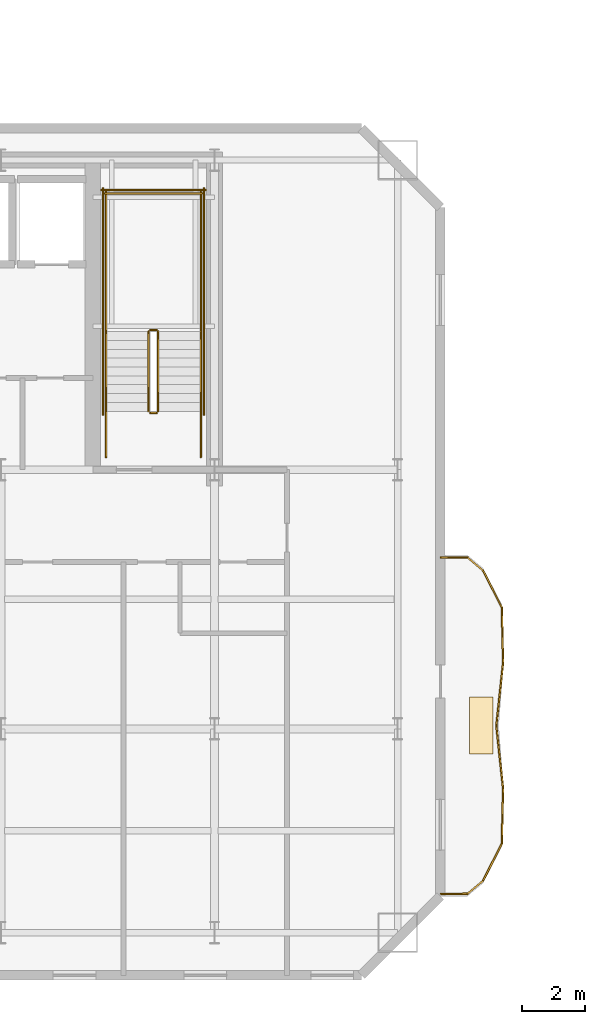
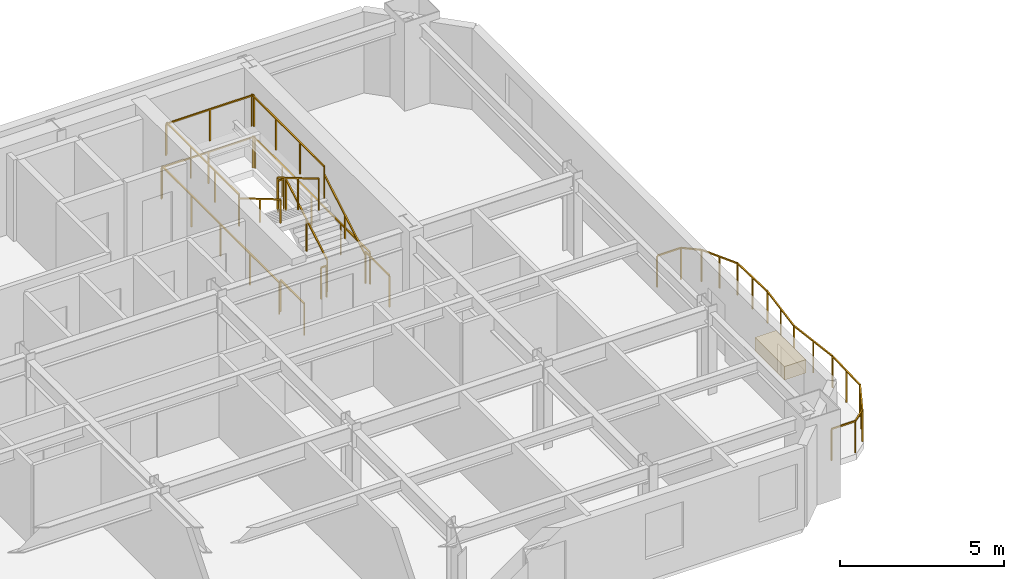
# One storey, part 11 of 13: 24 railings, 1 covering.
"""IFC4 building model written with IfcOpenShell, lengths in metres."""

from ifc_helpers import new_model, si_unit, direction, frame, origin, origin_2d, place, context, subcontext, project, spatial, rectangle, extrude, material, layer, layer_set, type_object, element, save


model = new_model("IFC4")

# Units and contexts
model_context = context("Model", 3, precision=1e-05, world=origin(), true_north=direction((0.0, 1.0)))
body_context = subcontext(model_context, "Body", "Model", "MODEL_VIEW")
ifc_project = project(units=[si_unit("LENGTHUNIT", "METRE"), si_unit("AREAUNIT", "SQUARE_METRE"), si_unit("VOLUMEUNIT", "CUBIC_METRE"), si_unit("PLANEANGLEUNIT", "RADIAN"), si_unit("MASSUNIT", "GRAM", prefix="KILO")], contexts=[model_context])

# Site, building, storey
site_placement = place(None, origin())
site = spatial("IfcSite", under=ifc_project, at=site_placement, CompositionType="ELEMENT")
building_placement = place(site_placement, origin())
building = spatial("IfcBuilding", under=site, at=building_placement, Name="Haevon Station Towers", CompositionType="ELEMENT")
storey_placement = place(building_placement, frame((0.0, 0.0, 182.39990234375)))
storey = spatial("IfcBuildingStorey", under=building, at=storey_placement, Name="L50", CompositionType="ELEMENT", Elevation=182.39990234375)

# Railings
ifc_material_1 = material(Name="Steel S355", Category="steel")
railing_type_1 = type_object("IfcRailingType", Name="GRD-EXT1200", PredefinedType="GUARDRAIL", material=ifc_material_1)
railing_1_placement = place(storey_placement, frame((58.173583984375, 24.77783203125, 0.0)))
element("IfcRailing", 1, at=railing_1_placement, inside=storey, type_object=railing_type_1, Name="L50 Perimeter Guardrail 1", PredefinedType="GUARDRAIL", context=body_context, shape_type="SweptSolid", body=[
    extrude(rectangle(XDim=0.048095703125, YDim=0.048095703125, at=origin_2d()), frame((0.0, 0.0, 1.17578125), z_axis=(0.999997283225, 0.002330995998, 0.0), x_axis=(-0.002330995998, 0.999997283225, 0.0)), (0.0, 0.0, 1.0), 0.837890625),
    extrude(rectangle(XDim=0.0419921875, YDim=0.0419921875, at=origin_2d()), origin(), (0.0, 0.0, 1.0), 1.15185546875),
    extrude(rectangle(XDim=0.0419921875, YDim=0.0419921875, at=origin_2d()), frame((0.837890625, 0.001953125, 0.0)), (0.0, 0.0, 1.0), 1.15185546875),
])
railing_2_placement = place(storey_placement, frame((59.011474609375, 24.77978515625, 0.0)))
element("IfcRailing", 2, at=railing_2_placement, inside=storey, type_object=railing_type_1, Name="L50 Perimeter Guardrail 2", PredefinedType="GUARDRAIL", context=body_context, shape_type="SweptSolid", body=[
    extrude(rectangle(XDim=0.048095703125, YDim=0.048095703125, at=origin_2d()), frame((0.0, 0.0, 1.17578125), z_axis=(0.766342909973, 0.642431742938, 0.0), x_axis=(-0.642431742938, 0.766342909973, 0.0)), (0.0, 0.0, 1.0), 0.640380859375),
    extrude(rectangle(XDim=0.0419921875, YDim=0.0419921875, at=origin_2d()), origin(), (0.0, 0.0, 1.0), 1.15185546875),
    extrude(rectangle(XDim=0.0419921875, YDim=0.0419921875, at=origin_2d()), frame((0.49072265625, 0.411376953125, 0.0)), (0.0, 0.0, 1.0), 1.15185546875),
])
railing_3_placement = place(storey_placement, frame((59.502197265625, 25.191162109375, 0.0)))
element("IfcRailing", 3, at=railing_3_placement, inside=storey, type_object=railing_type_1, Name="L50 Perimeter Guardrail 3", PredefinedType="GUARDRAIL", context=body_context, shape_type="SweptSolid", body=[
    extrude(rectangle(XDim=0.048095703125, YDim=0.048095703125, at=origin_2d()), frame((0.0, 0.0, 1.17578125), z_axis=(0.452346084471, 0.891842486016, 0.0), x_axis=(-0.891842486016, 0.452346084471, 0.0)), (0.0, 0.0, 1.0), 1.31103515625),
    extrude(rectangle(XDim=0.0419921875, YDim=0.0419921875, at=origin_2d()), origin(), (0.0, 0.0, 1.0), 1.15185546875),
    extrude(rectangle(XDim=0.0419921875, YDim=0.0419921875, at=origin_2d()), frame((0.29638671875, 0.58447265625, 0.0)), (0.0, 0.0, 1.0), 1.15185546875),
    extrude(rectangle(XDim=0.0419921875, YDim=0.0419921875, at=origin_2d()), frame((0.593017578125, 1.169189453125, 0.0)), (0.0, 0.0, 1.0), 1.15185546875),
])
railing_4_placement = place(storey_placement, frame((60.09521484375, 26.3603515625, 0.0)))
element("IfcRailing", 4, at=railing_4_placement, inside=storey, type_object=railing_type_1, Name="L50 Perimeter Guardrail 4", PredefinedType="GUARDRAIL", context=body_context, shape_type="SweptSolid", body=[
    extrude(rectangle(XDim=0.048095703125, YDim=0.048095703125, at=origin_2d()), frame((0.0, 0.0, 1.17578125), z_axis=(0.023307920103, 0.999728333529, 0.0), x_axis=(-0.999728333529, 0.023307920103, 0.0)), (0.0, 0.0, 1.0), 1.749267578125),
    extrude(rectangle(XDim=0.0419921875, YDim=0.0419921875, at=origin_2d()), origin(), (0.0, 0.0, 1.0), 1.15185546875),
    extrude(rectangle(XDim=0.0419921875, YDim=0.0419921875, at=origin_2d()), frame((0.0205078125, 0.87451171875, 0.0)), (0.0, 0.0, 1.0), 1.15185546875),
    extrude(rectangle(XDim=0.0419921875, YDim=0.0419921875, at=origin_2d()), frame((0.040771484375, 1.748779296875, 0.0)), (0.0, 0.0, 1.0), 1.15185546875),
])
railing_5_placement = place(storey_placement, frame((60.135986328125, 28.109130859375, 0.0)))
element("IfcRailing", 5, at=railing_5_placement, inside=storey, type_object=railing_type_1, Name="L50 Perimeter Guardrail 5", PredefinedType="GUARDRAIL", context=body_context, shape_type="SweptSolid", body=[
    extrude(rectangle(XDim=0.048095703125, YDim=0.048095703125, at=origin_2d()), frame((0.0, 0.0, 1.17578125), z_axis=(-0.107286422576, 0.994228154666, 0.0), x_axis=(-0.994228154666, -0.107286422576, 0.0)), (0.0, 0.0, 1.0), 2.00244140625),
    extrude(rectangle(XDim=0.0419921875, YDim=0.0419921875, at=origin_2d()), origin(), (0.0, 0.0, 1.0), 1.15185546875),
    extrude(rectangle(XDim=0.0419921875, YDim=0.0419921875, at=origin_2d()), frame((-0.107421875, 0.99560546875, 0.0)), (0.0, 0.0, 1.0), 1.15185546875),
    extrude(rectangle(XDim=0.0419921875, YDim=0.0419921875, at=origin_2d()), frame((-0.21484375, 1.990966796875, 0.0)), (0.0, 0.0, 1.0), 1.15185546875),
])
railing_6_placement = place(storey_placement, frame((59.921142578125, 30.10009765625, 0.0)))
element("IfcRailing", 6, at=railing_6_placement, inside=storey, type_object=railing_type_1, Name="L50 Perimeter Guardrail 6", PredefinedType="GUARDRAIL", context=body_context, shape_type="SweptSolid", body=[
    extrude(rectangle(XDim=0.048095703125, YDim=0.048095703125, at=origin_2d()), frame((0.0, 0.0, 1.17578125), z_axis=(0.107299428621, 0.994226751107, 0.0), x_axis=(-0.994226751107, 0.107299428621, 0.0)), (0.0, 0.0, 1.0), 2.002197265625),
    extrude(rectangle(XDim=0.0419921875, YDim=0.0419921875, at=origin_2d()), origin(), (0.0, 0.0, 1.0), 1.15185546875),
    extrude(rectangle(XDim=0.0419921875, YDim=0.0419921875, at=origin_2d()), frame((0.107421875, 0.995361328125, 0.0)), (0.0, 0.0, 1.0), 1.15185546875),
    extrude(rectangle(XDim=0.0419921875, YDim=0.0419921875, at=origin_2d()), frame((0.21484375, 1.99072265625, 0.0)), (0.0, 0.0, 1.0), 1.15185546875),
])
railing_7_placement = place(storey_placement, frame((60.135986328125, 32.0908203125, 0.0)))
element("IfcRailing", 7, at=railing_7_placement, inside=storey, type_object=railing_type_1, Name="L50 Perimeter Guardrail 7", PredefinedType="GUARDRAIL", context=body_context, shape_type="SweptSolid", body=[
    extrude(rectangle(XDim=0.048095703125, YDim=0.048095703125, at=origin_2d()), frame((0.0, 0.0, 1.17578125), z_axis=(-0.023307920103, 0.999728333529, 0.0), x_axis=(-0.999728333529, -0.023307920103, 0.0)), (0.0, 0.0, 1.0), 1.749267578125),
    extrude(rectangle(XDim=0.0419921875, YDim=0.0419921875, at=origin_2d()), origin(), (0.0, 0.0, 1.0), 1.15185546875),
    extrude(rectangle(XDim=0.0419921875, YDim=0.0419921875, at=origin_2d()), frame((-0.0205078125, 0.87451171875, 0.0)), (0.0, 0.0, 1.0), 1.15185546875),
    extrude(rectangle(XDim=0.0419921875, YDim=0.0419921875, at=origin_2d()), frame((-0.040771484375, 1.748779296875, 0.0)), (0.0, 0.0, 1.0), 1.15185546875),
])
railing_8_placement = place(storey_placement, frame((60.09521484375, 33.839599609375, 0.0)))
element("IfcRailing", 8, at=railing_8_placement, inside=storey, type_object=railing_type_1, Name="L50 Perimeter Guardrail 8", PredefinedType="GUARDRAIL", context=body_context, shape_type="SweptSolid", body=[
    extrude(rectangle(XDim=0.048095703125, YDim=0.048095703125, at=origin_2d()), frame((0.0, 0.0, 1.17578125), z_axis=(-0.452270967259, 0.89188058179, 0.0), x_axis=(-0.89188058179, -0.452270967259, 0.0)), (0.0, 0.0, 1.0), 1.311279296875),
    extrude(rectangle(XDim=0.0419921875, YDim=0.0419921875, at=origin_2d()), origin(), (0.0, 0.0, 1.0), 1.15185546875),
    extrude(rectangle(XDim=0.0419921875, YDim=0.0419921875, at=origin_2d()), frame((-0.29638671875, 0.584716796875, 0.0)), (0.0, 0.0, 1.0), 1.15185546875),
    extrude(rectangle(XDim=0.0419921875, YDim=0.0419921875, at=origin_2d()), frame((-0.593017578125, 1.16943359375, 0.0)), (0.0, 0.0, 1.0), 1.15185546875),
])
railing_9_placement = place(storey_placement, frame((59.502197265625, 35.009033203125, 0.0)))
element("IfcRailing", 9, at=railing_9_placement, inside=storey, type_object=railing_type_1, Name="L50 Perimeter Guardrail 9", PredefinedType="GUARDRAIL", context=body_context, shape_type="SweptSolid", body=[
    extrude(rectangle(XDim=0.048095703125, YDim=0.048095703125, at=origin_2d()), frame((0.0, 0.0, 1.17578125), z_axis=(-0.766530628822, 0.642207750715, 0.0), x_axis=(-0.642207750715, -0.766530628822, 0.0)), (0.0, 0.0, 1.0), 0.64013671875),
    extrude(rectangle(XDim=0.0419921875, YDim=0.0419921875, at=origin_2d()), origin(), (0.0, 0.0, 1.0), 1.15185546875),
    extrude(rectangle(XDim=0.0419921875, YDim=0.0419921875, at=origin_2d()), frame((-0.49072265625, 0.4111328125, 0.0)), (0.0, 0.0, 1.0), 1.15185546875),
])
railing_10_placement = place(storey_placement, frame((59.011474609375, 35.420166015625, 0.0)))
element("IfcRailing", 10, at=railing_10_placement, inside=storey, type_object=railing_type_1, Name="L50 Perimeter Guardrail 10", PredefinedType="GUARDRAIL", context=body_context, shape_type="SweptSolid", body=[
    extrude(rectangle(XDim=0.048095703125, YDim=0.048095703125, at=origin_2d()), frame((0.0, 0.0, 1.17578125), z_axis=(-0.999997283225, 0.002330995998, 0.0), x_axis=(-0.002330995998, -0.999997283225, 0.0)), (0.0, 0.0, 1.0), 0.837890625),
    extrude(rectangle(XDim=0.0419921875, YDim=0.0419921875, at=origin_2d()), origin(), (0.0, 0.0, 1.0), 1.15185546875),
    extrude(rectangle(XDim=0.0419921875, YDim=0.0419921875, at=origin_2d()), frame((-0.837890625, 0.001953125, 0.0)), (0.0, 0.0, 1.0), 1.15185546875),
])
railing_type_2 = type_object("IfcRailingType", Name="GRD-STR1200", PredefinedType="GUARDRAIL", material=ifc_material_1)
railing_11_placement = place(storey_placement, frame((49.219970703125, 40.050048828125, 0.1650390625)))
element("IfcRailing", 11, at=railing_11_placement, inside=storey, type_object=railing_type_2, Name="L50 ST2 Stair Guard 1", PredefinedType="GUARDRAIL", context=body_context, shape_type="SweptSolid", body=[
    extrude(rectangle(XDim=0.048095703125, YDim=0.048095703125, at=origin_2d()), frame((0.0, 0.0, 1.17578125), z_axis=(0.0, 0.86152411907, 0.507716645641), x_axis=(-1.0, 0.0, 0.0)), (0.0, 0.0, 1.0), 2.925048828125),
    extrude(rectangle(XDim=0.0419921875, YDim=0.0419921875, at=origin_2d()), origin(), (0.0, 0.0, 1.0), 1.15185546875),
    extrude(rectangle(XDim=0.0419921875, YDim=0.0419921875, at=origin_2d()), frame((0.0, 1.260009765625, 0.74267578125)), (0.0, 0.0, 1.0), 1.15185546875),
    extrude(rectangle(XDim=0.0419921875, YDim=0.0419921875, at=origin_2d()), frame((0.0, 2.52001953125, 1.485107421875)), (0.0, 0.0, 1.0), 1.15185546875),
])
railing_12_placement = place(storey_placement, frame((49.169921875, 42.6201171875, 1.650146484375)))
element("IfcRailing", 12, at=railing_12_placement, inside=storey, type_object=railing_type_2, Name="L50 ST2 Stair Guard 2", PredefinedType="GUARDRAIL", context=body_context, shape_type="SweptSolid", body=[
    extrude(rectangle(XDim=0.048095703125, YDim=0.048095703125, at=origin_2d()), frame((0.0, 0.0, 1.17578125), z_axis=(-1.0, 0.0, 0.0), x_axis=(0.0, -1.0, 0.0)), (0.0, 0.0, 1.0), 0.199951171875),
    extrude(rectangle(XDim=0.0419921875, YDim=0.0419921875, at=origin_2d()), origin(), (0.0, 0.0, 1.0), 1.15185546875),
    extrude(rectangle(XDim=0.0419921875, YDim=0.0419921875, at=origin_2d()), frame((-0.199951171875, 0.0, 0.0)), (0.0, 0.0, 1.0), 1.15185546875),
])
for number, where, name in (
    (13, (50.570068359375, 42.570068359375, 1.650146484375), "L50 ST2 Stair Guard 3"),
    (14, (47.570068359375, 42.570068359375, 1.650146484375), "L50 ST2 Stair Guard 4"),
):
    element("IfcRailing", number, at=place(storey_placement, frame(where)), inside=storey, type_object=railing_type_2, Name=name, PredefinedType="GUARDRAIL", context=body_context, shape_type="SweptSolid", body=[
        extrude(rectangle(XDim=0.048095703125, YDim=0.048095703125, at=origin_2d()), frame((0.0, 0.0, 1.17578125), z_axis=(0.0, 1.0, 0.0), x_axis=(-1.0, 0.0, 0.0)), (0.0, 0.0, 1.0), 4.429931640625),
        extrude(rectangle(XDim=0.0419921875, YDim=0.0419921875, at=origin_2d()), origin(), (0.0, 0.0, 1.0), 1.15185546875),
        extrude(rectangle(XDim=0.0419921875, YDim=0.0419921875, at=origin_2d()), frame((0.0, 1.4765625, 0.0)), (0.0, 0.0, 1.0), 1.15185546875),
        extrude(rectangle(XDim=0.0419921875, YDim=0.0419921875, at=origin_2d()), frame((0.0, 2.953369140625, 0.0)), (0.0, 0.0, 1.0), 1.15185546875),
        extrude(rectangle(XDim=0.0419921875, YDim=0.0419921875, at=origin_2d()), frame((0.0, 4.429931640625, 0.0)), (0.0, 0.0, 1.0), 1.15185546875),
    ])
railing_13_placement = place(storey_placement, frame((50.6201171875, 46.949951171875, 1.650146484375)))
element("IfcRailing", 15, at=railing_13_placement, inside=storey, type_object=railing_type_2, Name="L50 ST2 Stair Guard 5", PredefinedType="GUARDRAIL", context=body_context, shape_type="SweptSolid", body=[
    extrude(rectangle(XDim=0.048095703125, YDim=0.048095703125, at=origin_2d()), frame((0.0, 0.0, 1.17578125), z_axis=(-1.0, 0.0, 0.0), x_axis=(0.0, -1.0, 0.0)), (0.0, 0.0, 1.0), 3.10009765625),
    extrude(rectangle(XDim=0.0419921875, YDim=0.0419921875, at=origin_2d()), origin(), (0.0, 0.0, 1.0), 1.15185546875),
    extrude(rectangle(XDim=0.0419921875, YDim=0.0419921875, at=origin_2d()), frame((-1.550048828125, 0.0, 0.0)), (0.0, 0.0, 1.0), 1.15185546875),
    extrude(rectangle(XDim=0.0419921875, YDim=0.0419921875, at=origin_2d()), frame((-3.10009765625, 0.0, 0.0)), (0.0, 0.0, 1.0), 1.15185546875),
])
railing_14_placement = place(storey_placement, frame((48.919921875, 42.570068359375, 1.815185546875)))
element("IfcRailing", 16, at=railing_14_placement, inside=storey, type_object=railing_type_2, Name="L50 ST2 Stair Guard 6", PredefinedType="GUARDRAIL", context=body_context, shape_type="SweptSolid", body=[
    extrude(rectangle(XDim=0.048095703125, YDim=0.048095703125, at=origin_2d()), frame((0.0, 0.0, 1.17578125), z_axis=(0.0, -0.861560626758, 0.507654692109), x_axis=(1.0, 0.0, 0.0)), (0.0, 0.0, 1.0), 2.925048828125),
    extrude(rectangle(XDim=0.0419921875, YDim=0.0419921875, at=origin_2d()), origin(), (0.0, 0.0, 1.0), 1.15185546875),
    extrude(rectangle(XDim=0.0419921875, YDim=0.0419921875, at=origin_2d()), frame((0.0, -1.260009765625, 0.742431640625)), (0.0, 0.0, 1.0), 1.15185546875),
    extrude(rectangle(XDim=0.0419921875, YDim=0.0419921875, at=origin_2d()), frame((0.0, -2.52001953125, 1.48486328125)), (0.0, 0.0, 1.0), 1.15185546875),
])
railing_15_placement = place(storey_placement, frame((49.169921875, 40.0, 0.0)))
element("IfcRailing", 17, at=railing_15_placement, inside=storey, type_object=railing_type_2, Name="L50 ST2 Stair Guard 7", PredefinedType="GUARDRAIL", context=body_context, shape_type="SweptSolid", body=[
    extrude(rectangle(XDim=0.048095703125, YDim=0.048095703125, at=origin_2d()), frame((0.0, 0.0, 1.17578125), z_axis=(-1.0, 0.0, 0.0), x_axis=(0.0, -1.0, 0.0)), (0.0, 0.0, 1.0), 0.199951171875),
    extrude(rectangle(XDim=0.0419921875, YDim=0.0419921875, at=origin_2d()), origin(), (0.0, 0.0, 1.0), 1.15185546875),
    extrude(rectangle(XDim=0.0419921875, YDim=0.0419921875, at=origin_2d()), frame((-0.199951171875, 0.0, 0.0)), (0.0, 0.0, 1.0), 1.15185546875),
])
for number, where, name in (
    (18, (50.570068359375, 38.60009765625, 0.0), "L50 ST2 Stair Guard 8"),
    (19, (47.570068359375, 38.60009765625, 0.0), "L50 ST2 Stair Guard 9"),
):
    element("IfcRailing", number, at=place(storey_placement, frame(where)), inside=storey, type_object=railing_type_2, Name=name, PredefinedType="GUARDRAIL", context=body_context, shape_type="SweptSolid", body=[
        extrude(rectangle(XDim=0.048095703125, YDim=0.048095703125, at=origin_2d()), frame((0.0, 0.0, 1.17578125), z_axis=(0.0, 1.0, 0.0), x_axis=(-1.0, 0.0, 0.0)), (0.0, 0.0, 1.0), 1.449951171875),
        extrude(rectangle(XDim=0.0419921875, YDim=0.0419921875, at=origin_2d()), origin(), (0.0, 0.0, 1.0), 1.15185546875),
        extrude(rectangle(XDim=0.0419921875, YDim=0.0419921875, at=origin_2d()), frame((0.0, 1.449951171875, 0.0)), (0.0, 0.0, 1.0), 1.15185546875),
    ])
for number, where, name in (
    (20, (50.669921875, 39.949951171875, 0.0), "L50 ST2 Stair Guard 10"),
    (21, (47.469970703125, 39.949951171875, 0.0), "L50 ST2 Stair Guard 11"),
):
    element("IfcRailing", number, at=place(storey_placement, frame(where)), inside=storey, type_object=railing_type_2, Name=name, PredefinedType="GUARDRAIL", context=body_context, shape_type="SweptSolid", body=[
        extrude(rectangle(XDim=0.048095703125, YDim=0.048095703125, at=origin_2d()), frame((0.0, 0.0, 1.17578125), z_axis=(0.0, 1.0, 0.0), x_axis=(-1.0, 0.0, 0.0)), (0.0, 0.0, 1.0), 7.150146484375),
        extrude(rectangle(XDim=0.0419921875, YDim=0.0419921875, at=origin_2d()), origin(), (0.0, 0.0, 1.0), 1.15185546875),
        extrude(rectangle(XDim=0.0419921875, YDim=0.0419921875, at=origin_2d()), frame((0.0, 1.78759765625, 0.0)), (0.0, 0.0, 1.0), 1.15185546875),
        extrude(rectangle(XDim=0.0419921875, YDim=0.0419921875, at=origin_2d()), frame((0.0, 3.5751953125, 0.0)), (0.0, 0.0, 1.0), 1.15185546875),
        extrude(rectangle(XDim=0.0419921875, YDim=0.0419921875, at=origin_2d()), frame((0.0, 5.362548828125, 0.0)), (0.0, 0.0, 1.0), 1.15185546875),
        extrude(rectangle(XDim=0.0419921875, YDim=0.0419921875, at=origin_2d()), frame((0.0, 7.150146484375, 0.0)), (0.0, 0.0, 1.0), 1.15185546875),
    ])
railing_16_placement = place(storey_placement, frame((50.719970703125, 47.050048828125, 0.0)))
element("IfcRailing", 22, at=railing_16_placement, inside=storey, type_object=railing_type_2, Name="L50 ST2 Stair Guard 12", PredefinedType="GUARDRAIL", context=body_context, shape_type="SweptSolid", body=[
    extrude(rectangle(XDim=0.048095703125, YDim=0.048095703125, at=origin_2d()), frame((0.0, 0.0, 1.17578125), z_axis=(-1.0, 0.0, 0.0), x_axis=(0.0, -1.0, 0.0)), (0.0, 0.0, 1.0), 3.300048828125),
    extrude(rectangle(XDim=0.0419921875, YDim=0.0419921875, at=origin_2d()), origin(), (0.0, 0.0, 1.0), 1.15185546875),
    extrude(rectangle(XDim=0.0419921875, YDim=0.0419921875, at=origin_2d()), frame((-1.64990234375, 0.0, 0.0)), (0.0, 0.0, 1.0), 1.15185546875),
    extrude(rectangle(XDim=0.0419921875, YDim=0.0419921875, at=origin_2d()), frame((-3.300048828125, 0.0, 0.0)), (0.0, 0.0, 1.0), 1.15185546875),
])
railing_type_3 = type_object("IfcRailingType", Name="HND-STR900", PredefinedType="HANDRAIL", material=ifc_material_1)
railing_17_placement = place(storey_placement, frame((50.570068359375, 40.050048828125, 0.1650390625)))
element("IfcRailing", 23, at=railing_17_placement, inside=storey, type_object=railing_type_3, Name="L50 ST2 Stair Handrail 1", PredefinedType="HANDRAIL", context=body_context, shape_type="SweptSolid", body=[
    extrude(rectangle(XDim=0.048095703125, YDim=0.048095703125, at=origin_2d()), frame((0.0, 0.0, 0.8759765625), z_axis=(0.0, 0.86152411907, 0.507716645641), x_axis=(-1.0, 0.0, 0.0)), (0.0, 0.0, 1.0), 2.925048828125),
    extrude(rectangle(XDim=0.0419921875, YDim=0.0419921875, at=origin_2d()), origin(), (0.0, 0.0, 1.0), 0.851806640625),
    extrude(rectangle(XDim=0.0419921875, YDim=0.0419921875, at=origin_2d()), frame((0.0, 1.260009765625, 0.74267578125)), (0.0, 0.0, 1.0), 0.851806640625),
    extrude(rectangle(XDim=0.0419921875, YDim=0.0419921875, at=origin_2d()), frame((0.0, 2.52001953125, 1.485107421875)), (0.0, 0.0, 1.0), 0.851806640625),
])
railing_18_placement = place(storey_placement, frame((47.570068359375, 42.570068359375, 1.815185546875)))
element("IfcRailing", 24, at=railing_18_placement, inside=storey, type_object=railing_type_3, Name="L50 ST2 Stair Handrail 2", PredefinedType="HANDRAIL", context=body_context, shape_type="SweptSolid", body=[
    extrude(rectangle(XDim=0.048095703125, YDim=0.048095703125, at=origin_2d()), frame((0.0, 0.0, 0.8759765625), z_axis=(0.0, -0.861560626758, 0.507654692109), x_axis=(1.0, 0.0, 0.0)), (0.0, 0.0, 1.0), 2.925048828125),
    extrude(rectangle(XDim=0.0419921875, YDim=0.0419921875, at=origin_2d()), origin(), (0.0, 0.0, 1.0), 0.851806640625),
    extrude(rectangle(XDim=0.0419921875, YDim=0.0419921875, at=origin_2d()), frame((0.0, -1.260009765625, 0.742431640625)), (0.0, 0.0, 1.0), 0.851806640625),
    extrude(rectangle(XDim=0.0419921875, YDim=0.0419921875, at=origin_2d()), frame((0.0, -2.52001953125, 1.48486328125)), (0.0, 0.0, 1.0), 0.851806640625),
])

# Covering
ifc_material_2 = material(Name="Architectural planter GRC", Category="concrete")
ifc_layer = layer(ifc_material_2, 0.550048828125)
ifc_layer_set = layer_set([ifc_layer], Name="Architectural planter GRC")
covering_type = type_object("IfcCoveringType", Name="PLN-GRC550", PredefinedType="MOLDING", material=ifc_layer_set)
covering_placement = place(storey_placement, frame((59.442626953125, 30.10009765625, 0.0), z_axis=(0.0, 0.0, 1.0), x_axis=(1.0, 0.0, 0.0)))
element("IfcCovering", 25, at=covering_placement, inside=storey, type_object=covering_type, Name="Tower 1 L50 Scalloped Balcony PLANTER", PredefinedType="MOLDING", context=body_context, shape_type="SweptSolid", body=[
    extrude(rectangle(XDim=0.75, YDim=1.800048828125, at=origin_2d()), origin(), (0.0, 0.0, 1.0), 0.5),
])

save(model, "model.ifc")
